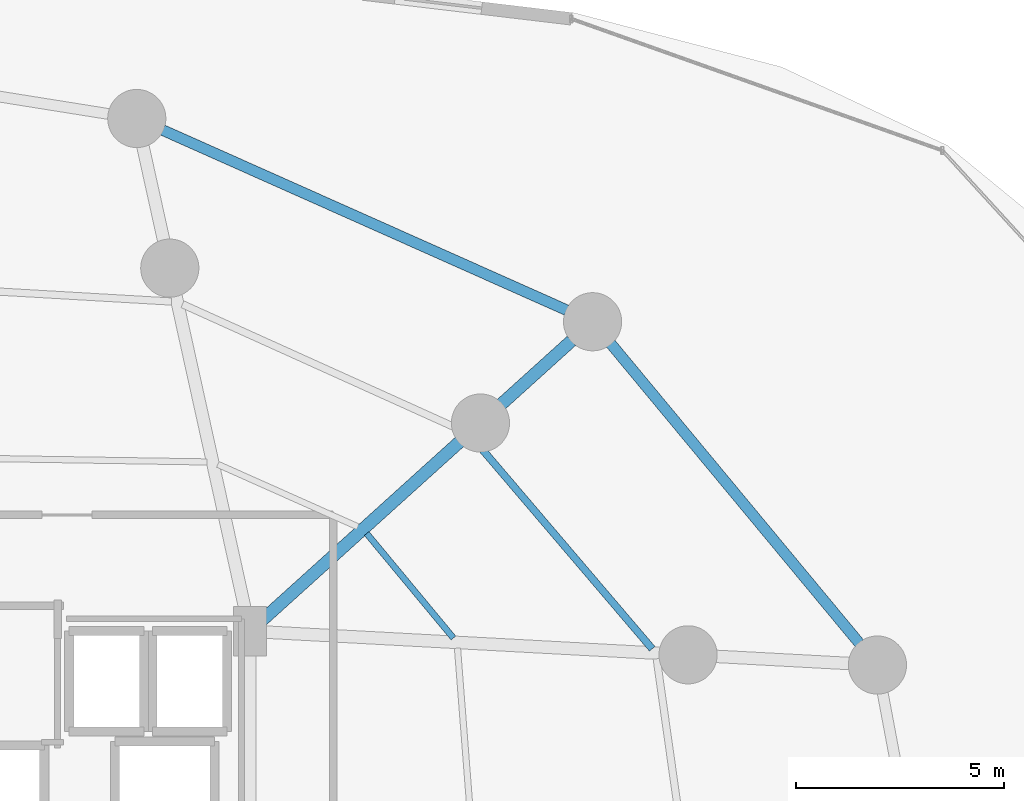
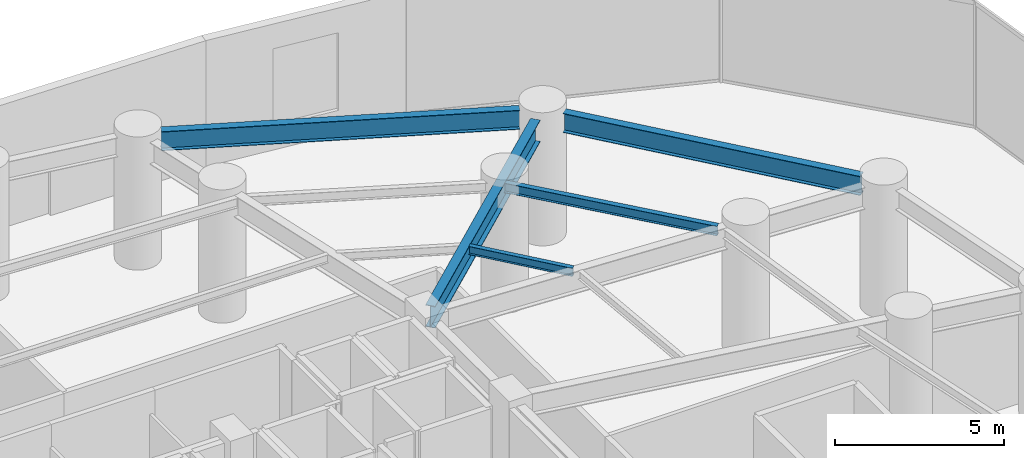
# One storey, part 20 of 32: 5 beams.
"""IFC4 building model written with IfcOpenShell, lengths in metres."""

from ifc_helpers import new_model, si_unit, direction, frame, origin, origin_2d, place, context, subcontext, project, spatial, i_section, extrude, material, material_profile, profile_set, type_object, element, save


model = new_model("IFC4")

# Units and contexts
model_context = context("Model", 3, precision=1e-05, world=origin(), true_north=direction((0.0, 1.0)))
body_context = subcontext(model_context, "Body", "Model", "MODEL_VIEW")
ifc_project = project(units=[si_unit("LENGTHUNIT", "METRE"), si_unit("AREAUNIT", "SQUARE_METRE"), si_unit("VOLUMEUNIT", "CUBIC_METRE"), si_unit("PLANEANGLEUNIT", "RADIAN"), si_unit("MASSUNIT", "GRAM", prefix="KILO")], contexts=[model_context])

# Site, building, storey
site_placement = place(None, origin())
site = spatial("IfcSite", under=ifc_project, at=site_placement, CompositionType="ELEMENT")
building_placement = place(site_placement, origin())
building = spatial("IfcBuilding", under=site, at=building_placement, Name="Vorneva Point Tower", CompositionType="ELEMENT")
storey_placement = place(building_placement, frame((0.0, 0.0, 19.199951171875)))
storey = spatial("IfcBuildingStorey", under=building, at=storey_placement, Name="L04", CompositionType="ELEMENT", Elevation=19.199951171875)

# Beams
ifc_material = material(Name="Steel S355", Category="steel")
ifc_material_profile_1 = material_profile(ifc_material, i_section(OverallWidth=0.300048828125, OverallDepth=0.7880859375, WebThickness=0.014404296875, FlangeThickness=0.02197265625, at=origin_2d()), Name="80Sh1")
ifc_profile_set_1 = profile_set([ifc_material_profile_1], Name="Steel S355")
beam_type_1 = type_object("IfcBeamType", Name="BM-GRD-80Sh1", PredefinedType="USERDEFINED", material=ifc_profile_set_1)
beam_1_placement = place(storey_placement, frame((56.48681640625, 40.138671875, 4.14599609375), z_axis=(-0.742080891711, -0.670310338692, 0.0), x_axis=(0.670310338692, -0.742080891711, 0.0)))
element("IfcBeam", 1, at=beam_1_placement, inside=storey, type_object=beam_type_1, Name="L04 Radial Primary Girder 03", ObjectType="GIRDER", PredefinedType="USERDEFINED", context=body_context, shape_type="SweptSolid", body=[
    extrude(i_section(OverallWidth=0.300048828125, OverallDepth=0.7880859375, WebThickness=0.014404296875, FlangeThickness=0.02197265625, at=origin_2d()), origin(), (0.0, 0.0, 1.0), 10.0859375),
])
ifc_material_profile_2 = material_profile(ifc_material, i_section(OverallWidth=0.14892578125, OverallDepth=0.298095703125, WebThickness=0.005615234375, FlangeThickness=0.008056640625, at=origin_2d()), Name="30B1")
ifc_profile_set_2 = profile_set([ifc_material_profile_2], Name="Steel S355")
beam_type_2 = type_object("IfcBeamType", Name="BM-JST-30B1", PredefinedType="JOIST", material=ifc_profile_set_2)
beam_2_placement = place(storey_placement, frame((53.647216796875, 32.98779296875, 4.39111328125), z_axis=(-0.638588472205, 0.769548415089, 0.0), x_axis=(-0.769548415089, -0.638588472205, 0.0)))
element("IfcBeam", 2, at=beam_2_placement, inside=storey, type_object=beam_type_2, Name="L04 Secondary Floor Beam 2.02", PredefinedType="JOIST", context=body_context, shape_type="SweptSolid", body=[
    extrude(i_section(OverallWidth=0.14892578125, OverallDepth=0.298095703125, WebThickness=0.005615234375, FlangeThickness=0.008056640625, at=origin_2d()), origin(), (0.0, 0.0, 1.0), 3.26806640625),
])
ifc_material_profile_3 = material_profile(ifc_material, i_section(OverallWidth=0.174072265625, OverallDepth=0.345947265625, WebThickness=0.006103515625, FlangeThickness=0.009033203125, at=origin_2d()), Name="35B1")
ifc_profile_set_3 = profile_set([ifc_material_profile_3], Name="Steel S355")
beam_type_3 = type_object("IfcBeamType", Name="BM-SEC-35B1", PredefinedType="BEAM", material=ifc_profile_set_3)
beam_3_placement = place(storey_placement, frame((58.43212890625, 32.72900390625, 4.366943359375), z_axis=(-0.648798838036, 0.760959964625, 0.0), x_axis=(-0.760959964625, -0.648798838036, 0.0)))
element("IfcBeam", 3, at=beam_3_placement, inside=storey, type_object=beam_type_3, Name="L04 Secondary Floor Beam 1.02", PredefinedType="BEAM", context=body_context, shape_type="SweptSolid", body=[
    extrude(i_section(OverallWidth=0.174072265625, OverallDepth=0.345947265625, WebThickness=0.006103515625, FlangeThickness=0.009033203125, at=origin_2d()), origin(), (0.0, 0.0, 1.0), 6.667236328125),
])
ifc_material_profile_4 = material_profile(ifc_material, i_section(OverallWidth=0.260009765625, OverallDepth=0.69091796875, WebThickness=0.011962890625, FlangeThickness=0.015380859375, at=origin_2d()), Name="70B1")
ifc_profile_set_4 = profile_set([ifc_material_profile_4], Name="Steel S355")
beam_type_4 = type_object("IfcBeamType", Name="BM-SPN-70B1", PredefinedType="SPANDREL", material=ifc_profile_set_4)
beam_4_placement = place(storey_placement, frame((63.4169921875, 32.86376953125, 4.194580078125), z_axis=(-0.638588560604, 0.769548341734, 0.0), x_axis=(-0.769548341734, -0.638588560604, 0.0)))
element("IfcBeam", 4, at=beam_4_placement, inside=storey, type_object=beam_type_4, Name="L04 Perimeter Spandrel Ring Beam 02", PredefinedType="SPANDREL", context=body_context, shape_type="SweptSolid", body=[
    extrude(i_section(OverallWidth=0.260009765625, OverallDepth=0.69091796875, WebThickness=0.011962890625, FlangeThickness=0.015380859375, at=origin_2d()), origin(), (0.0, 0.0, 1.0), 9.367919921875),
])
beam_5_placement = place(storey_placement, frame((56.371826171875, 40.87890625, 4.194580078125), z_axis=(-0.913331288807, 0.407217333725, 0.0), x_axis=(-0.407217333725, -0.913331288807, 0.0)))
element("IfcBeam", 5, at=beam_5_placement, inside=storey, type_object=beam_type_4, Name="L04 Perimeter Spandrel Ring Beam 03", PredefinedType="SPANDREL", context=body_context, shape_type="SweptSolid", body=[
    extrude(i_section(OverallWidth=0.260009765625, OverallDepth=0.69091796875, WebThickness=0.011962890625, FlangeThickness=0.015380859375, at=origin_2d()), origin(), (0.0, 0.0, 1.0), 10.642333984375),
])

save(model, "model.ifc")
